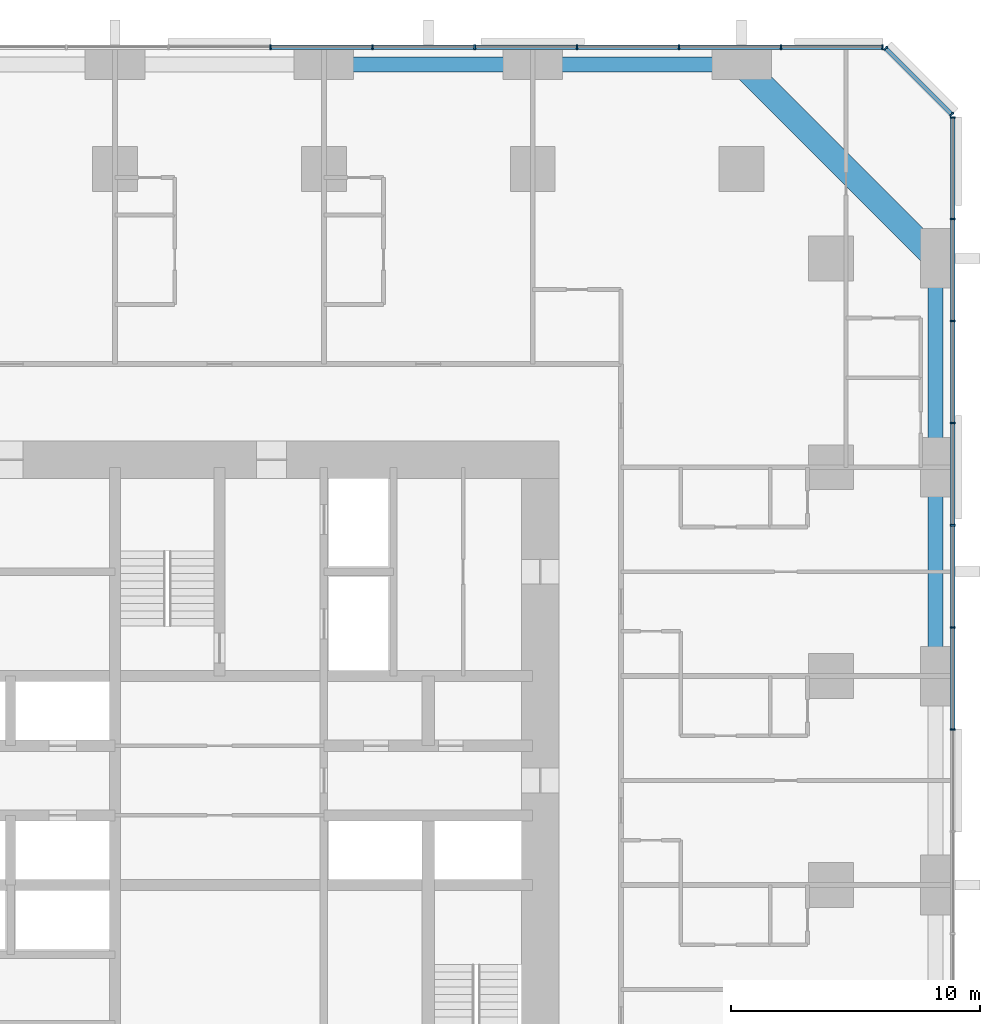
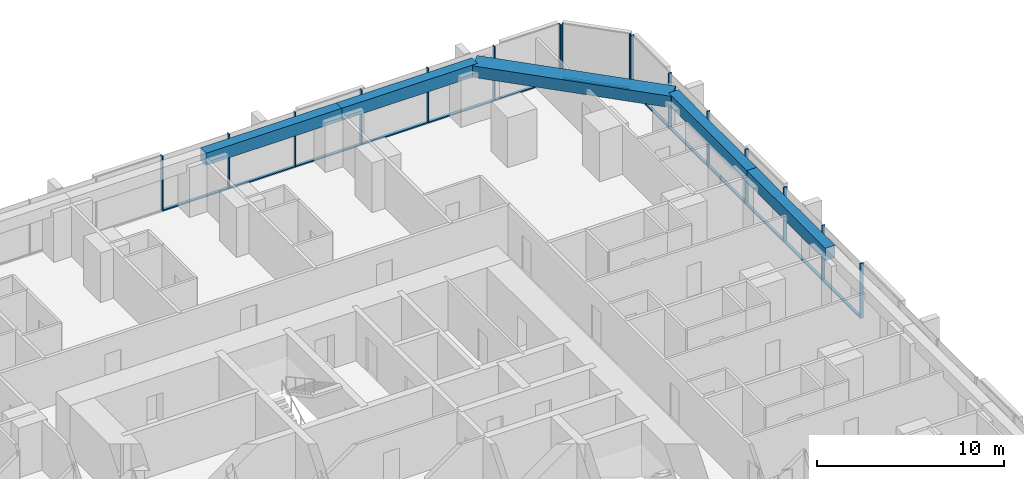
# One storey, part 8 of 17: 29 members, 5 beams, 3 elements without a shape of their own.
"""IFC4 building model written with IfcOpenShell, lengths in metres."""

import ifcopenshell
import ifcopenshell.guid

model = None  # the IFC model being written
_history = None  # IfcOwnerHistory: only IFC2X3 demands one
_inside = {}  # id of a spatial element -> (the spatial element, [elements in it])
_under = {}  # id of a project, library or spatial element -> (it, [spatial elements below it])
_declared = {}  # id of a project -> (the project, [libraries it declares])
_typed = {}  # id of a type object -> (the type object, [elements of that type])
_made_of = {}  # id of a material, layer set ... -> (it, [elements and type objects made of it])


def new_model(schema):
    """Start an empty IFC model of exactly this schema.

    Asked for "IFC4X3", IfcOpenShell would pick the latest addendum, in which some entities
    have other attributes; the version numbers below select the first issue.
    IFC2X3 requires an IfcOwnerHistory on every rooted entity: one is made here for all.
    """
    global model, _history
    if schema == "IFC4X3":
        model = ifcopenshell.file(schema_version=(4, 3, 0, 0))
    else:
        model = ifcopenshell.file(schema=schema)
    _inside.clear()
    _under.clear()
    _declared.clear()
    _typed.clear()
    _made_of.clear()
    _history = None
    if model.schema == "IFC2X3":
        org = make("IfcOrganization", Name="unknown")
        user = make(
            "IfcPersonAndOrganization",
            ThePerson=make("IfcPerson", FamilyName="unknown"),
            TheOrganization=org,
        )
        app = make(
            "IfcApplication",
            ApplicationDeveloper=org,
            Version="unknown",
            ApplicationFullName="unknown",
            ApplicationIdentifier="unknown",
        )
        _history = make(
            "IfcOwnerHistory",
            OwningUser=user,
            OwningApplication=app,
            ChangeAction="ADDED",
            CreationDate=0,
        )
    return model


def make(cls, **values):
    """One entity of the class cls with the attributes given. An attribute that is None is left unset."""
    return model.create_entity(
        cls, **{name: value for name, value in values.items() if value is not None}
    )


def rooted(cls, **values):
    """An entity with a GlobalId (a new one), such as an element, a storey or a relation."""
    return make(cls, GlobalId=ifcopenshell.guid.new(), OwnerHistory=_history, **values)


def si_unit(unit_type, name, prefix=None):
    """IfcSIUnit, for example si_unit("LENGTHUNIT", "METRE", prefix="MILLI")."""
    return make("IfcSIUnit", UnitType=unit_type, Prefix=prefix, Name=name)


def assignment(units):
    """IfcUnitAssignment: the units of a project."""
    return None if units is None else make("IfcUnitAssignment", Units=units)


def point(xyz):
    """IfcCartesianPoint."""
    return None if xyz is None else make("IfcCartesianPoint", Coordinates=xyz)


def direction(xyz):
    """IfcDirection."""
    return None if xyz is None else make("IfcDirection", DirectionRatios=xyz)


def frame(location, z_axis=None, x_axis=None):
    """IfcAxis2Placement3D, a coordinate frame: its origin and axes. An axis left out is left unset."""
    return make(
        "IfcAxis2Placement3D",
        Location=point(location),
        Axis=direction(z_axis),
        RefDirection=direction(x_axis),
    )


def frame_2d(location, x_axis=None):
    """IfcAxis2Placement2D, a coordinate frame in the plane: its origin and x axis."""
    return make(
        "IfcAxis2Placement2D", Location=point(location), RefDirection=direction(x_axis)
    )


def origin():
    """The frame at (0, 0, 0) with its axes left unset."""
    return frame((0.0, 0.0, 0.0))


def origin_2d():
    """The frame at (0, 0) in the plane with its x axis left unset."""
    return frame_2d((0.0, 0.0))


def place(relative_to, where):
    """IfcLocalPlacement: puts the frame where relative to a parent placement (None: the world)."""
    return make(
        "IfcLocalPlacement", PlacementRelTo=relative_to, RelativePlacement=where
    )


def context(
    kind, dimensions, precision=None, world=None, true_north=None, identifier=None
):
    """IfcGeometricRepresentationContext, for example the 3D "Model" context."""
    return make(
        "IfcGeometricRepresentationContext",
        ContextIdentifier=identifier,
        ContextType=kind,
        CoordinateSpaceDimension=dimensions,
        Precision=precision,
        WorldCoordinateSystem=world,
        TrueNorth=true_north,
    )


def subcontext(parent, identifier, kind, view, scale=None):
    """IfcGeometricRepresentationSubContext, for example "Body" below "Model"."""
    return make(
        "IfcGeometricRepresentationSubContext",
        ContextIdentifier=identifier,
        ContextType=kind,
        ParentContext=parent,
        TargetScale=scale,
        TargetView=view,
    )


def project(units=None, contexts=None):
    """IfcProject with its units and contexts."""
    return rooted(
        "IfcProject",
        Name="project",
        RepresentationContexts=contexts,
        UnitsInContext=assignment(units),
    )


def spatial(cls, under=None, at=None, **own):
    """A site, building, storey or space (cls), placed at a placement, below another one or the project."""
    s = rooted(cls, ObjectPlacement=at, **own)
    if under is not None:
        _under.setdefault(under.id(), (under, []))[1].append(s)
    return s


def profile(cls, at=None, kind="AREA", **sizes):
    """A parametric profile (cls). Its sizes go by their IFC names, for example OverallWidth=200.0."""
    return make(cls, ProfileType=kind, Position=at, **sizes)


def rectangle(**sizes):
    """IfcRectangleProfileDef."""
    return profile("IfcRectangleProfileDef", **sizes)


def extrude(swept, where, along, depth):
    """IfcExtrudedAreaSolid: the profile swept, set in the frame where, extruded along a direction by depth."""
    return make(
        "IfcExtrudedAreaSolid",
        SweptArea=swept,
        Position=where,
        ExtrudedDirection=direction(along),
        Depth=depth,
    )


def shape(context_of_items, identifier, shape_type, items):
    """IfcShapeRepresentation: the items that make up one representation, for example the "Body"."""
    return make(
        "IfcShapeRepresentation",
        ContextOfItems=context_of_items,
        RepresentationIdentifier=identifier,
        RepresentationType=shape_type,
        Items=items,
    )


def material(Name=None, Category=None):
    """IfcMaterial."""
    return make("IfcMaterial", Name=Name, Category=Category)


def material_profile(
    of_material, cross_section, Name=None, Category=None, Priority=None
):
    """IfcMaterialProfile: a cross section and its material."""
    return make(
        "IfcMaterialProfile",
        Name=Name,
        Material=of_material,
        Profile=cross_section,
        Priority=Priority,
        Category=Category,
    )


def profile_set(profiles, Name=None, composite=None):
    """IfcMaterialProfileSet."""
    return make(
        "IfcMaterialProfileSet",
        Name=Name,
        MaterialProfiles=profiles,
        CompositeProfile=composite,
    )


def made_of(thing, what):
    """Note that an element or type object is made of a material, layer set ...; save() writes the relation."""
    if what is not None:
        _made_of.setdefault(what.id(), (what, []))[1].append(thing)
    return thing


def type_object(cls, material=None, **own):
    """A type object (cls), such as IfcWallType, which elements share."""
    return made_of(rooted(cls, **own), material)


def element(
    cls,
    number,
    at=None,
    inside=None,
    cuts=None,
    type_object=None,
    material=None,
    context=None,
    identifier="Body",
    shape_type=None,
    held_by="IfcProductDefinitionShape",
    body=None,
    shapes=None,
    **own,
):
    """One element of the class cls, such as IfcWall. Its Tag is "e" and its number.

    at: its placement. inside: the storey or other place that contains it. cuts: it is an
    opening in that element (IfcRelVoidsElement). A single representation is given by context,
    identifier, shape_type and body (its items); several are given by shapes. held_by: the class
    of the entity that holds the representations. save() writes the other relations.
    """
    e = rooted(cls, Tag="e%d" % number, ObjectPlacement=at, **own)
    if body is not None:
        shapes = [shape(context, identifier, shape_type, body)]
    if shapes is not None:
        e.Representation = make(held_by, Representations=shapes)
    if inside is not None:
        _inside.setdefault(inside.id(), (inside, []))[1].append(e)
    if cuts is not None:
        rooted(
            "IfcRelVoidsElement", RelatingBuildingElement=cuts, RelatedOpeningElement=e
        )
    if type_object is not None:
        _typed.setdefault(type_object.id(), (type_object, []))[1].append(e)
    return made_of(e, material)


def aggregate(whole, parts):
    """IfcRelAggregates: a whole, such as a stair, and the parts it consists of."""
    return rooted("IfcRelAggregates", RelatingObject=whole, RelatedObjects=parts)


def save(model, path):
    """Write the relations noted so far, then the file.

    IfcRelAggregates (storeys below a building ...), IfcRelContainedInSpatialStructure (elements
    in a storey), IfcRelDefinesByType, IfcRelAssociatesMaterial and IfcRelDeclares: one each for
    every whole, place, type object, material and project.
    """
    for whole, parts in _under.values():
        aggregate(whole, parts)
    for where, things in _inside.values():
        rooted(
            "IfcRelContainedInSpatialStructure",
            RelatedElements=things,
            RelatingStructure=where,
        )
    for kind, things in _typed.values():
        rooted("IfcRelDefinesByType", RelatedObjects=things, RelatingType=kind)
    for what, things in _made_of.values():
        rooted("IfcRelAssociatesMaterial", RelatedObjects=things, RelatingMaterial=what)
    for by, libraries in _declared.values():
        rooted("IfcRelDeclares", RelatingContext=by, RelatedDefinitions=libraries)
    model.write(path)


model = new_model("IFC4")

# Units and contexts
model_context = context("Model", 3, precision=1e-05, world=origin(), true_north=direction((0.0, 1.0)))
body_context = subcontext(model_context, "Body", "Model", "MODEL_VIEW")
ifc_project = project(units=[si_unit("LENGTHUNIT", "METRE"), si_unit("AREAUNIT", "SQUARE_METRE"), si_unit("VOLUMEUNIT", "CUBIC_METRE"), si_unit("PLANEANGLEUNIT", "RADIAN"), si_unit("MASSUNIT", "GRAM", prefix="KILO")], contexts=[model_context])

# Site, building, storey
site_placement = place(None, origin())
site = spatial("IfcSite", under=ifc_project, at=site_placement, CompositionType="ELEMENT")
building_placement = place(site_placement, origin())
building = spatial("IfcBuilding", under=site, at=building_placement, Name="Dunama Terrace Hotel", CompositionType="ELEMENT")
storey_placement = place(building_placement, frame((0.0, 0.0, 59.39990234375)))
storey = spatial("IfcBuildingStorey", under=building, at=storey_placement, Name="L14", CompositionType="ELEMENT", Elevation=59.39990234375)

# Curtain wall, members
ifc_material_1 = material(Name="Aluminium curtain wall system", Category="aluminium")
curtain_wall_type = type_object("IfcCurtainWallType", Name="Unitised fritted glass wall CW-A", PredefinedType="NOTDEFINED", material=ifc_material_1)
curtain_wall_1_placement = place(storey_placement, origin())
curtain_wall_1 = element("IfcCurtainWall", 1, at=curtain_wall_1_placement, inside=storey, type_object=curtain_wall_type, Name="Unitised fritted glass wall CW-A L14", PredefinedType="NOTDEFINED")
ifc_material_2 = material(Name="Aluminium mullion", Category="aluminium")
ifc_material_profile_1 = material_profile(ifc_material_2, rectangle(XDim=0.06494140625, YDim=0.199951171875, at=origin_2d()), Name="CWA MULLION 65X200")
ifc_profile_set_1 = profile_set([ifc_material_profile_1], Name="Aluminium mullion")
member_type_1 = type_object("IfcMemberType", Name="CWA mullion 65x200", PredefinedType="MULLION", material=ifc_profile_set_1)
member_1_placement = place(storey_placement, frame((58.89990234375, 31.4541015625, 0.0), z_axis=(0.0, 0.0, 1.0), x_axis=(0.0, 1.0, 0.0)))
member_1 = element("IfcMember", 2, at=member_1_placement, type_object=member_type_1, Name="CWA mullion", PredefinedType="MULLION", context=body_context, shape_type="SweptSolid", body=[
    extrude(rectangle(XDim=0.06494140625, YDim=0.199951171875, at=origin_2d()), origin(), (0.0, 0.0, 1.0), 3.60009765625),
])
member_2_placement = place(storey_placement, frame((58.89990234375, 35.56201171875, 0.0), z_axis=(0.0, 0.0, 1.0), x_axis=(0.0, 1.0, 0.0)))
member_2 = element("IfcMember", 3, at=member_2_placement, type_object=member_type_1, Name="CWA mullion", PredefinedType="MULLION", context=body_context, shape_type="SweptSolid", body=[
    extrude(rectangle(XDim=0.06494140625, YDim=0.199951171875, at=origin_2d()), origin(), (0.0, 0.0, 1.0), 3.60009765625),
])
member_3_placement = place(storey_placement, frame((58.89990234375, 39.6689453125, 0.0), z_axis=(0.0, 0.0, 1.0), x_axis=(0.0, 1.0, 0.0)))
member_3 = element("IfcMember", 4, at=member_3_placement, type_object=member_type_1, Name="CWA mullion", PredefinedType="MULLION", context=body_context, shape_type="SweptSolid", body=[
    extrude(rectangle(XDim=0.06494140625, YDim=0.199951171875, at=origin_2d()), origin(), (0.0, 0.0, 1.0), 3.60009765625),
])
member_4_placement = place(storey_placement, frame((58.89990234375, 43.777099609375, 0.0), z_axis=(0.0, 0.0, 1.0), x_axis=(0.0, 1.0, 0.0)))
member_4 = element("IfcMember", 5, at=member_4_placement, type_object=member_type_1, Name="CWA mullion", PredefinedType="MULLION", context=body_context, shape_type="SweptSolid", body=[
    extrude(rectangle(XDim=0.06494140625, YDim=0.199951171875, at=origin_2d()), origin(), (0.0, 0.0, 1.0), 3.60009765625),
])
member_5_placement = place(storey_placement, frame((58.89990234375, 47.885009765625, 0.0), z_axis=(0.0, 0.0, 1.0), x_axis=(0.0, 1.0, 0.0)))
member_5 = element("IfcMember", 6, at=member_5_placement, type_object=member_type_1, Name="CWA mullion", PredefinedType="MULLION", context=body_context, shape_type="SweptSolid", body=[
    extrude(rectangle(XDim=0.06494140625, YDim=0.199951171875, at=origin_2d()), origin(), (0.0, 0.0, 1.0), 3.60009765625),
])
member_6_placement = place(storey_placement, frame((58.89990234375, 51.991943359375, 0.0), z_axis=(0.0, 0.0, 1.0), x_axis=(0.0, 1.0, 0.0)))
member_6 = element("IfcMember", 7, at=member_6_placement, type_object=member_type_1, Name="CWA mullion", PredefinedType="MULLION", context=body_context, shape_type="SweptSolid", body=[
    extrude(rectangle(XDim=0.06494140625, YDim=0.199951171875, at=origin_2d()), origin(), (0.0, 0.0, 1.0), 3.60009765625),
])
member_7_placement = place(storey_placement, frame((58.89990234375, 56.06689453125, 0.0), z_axis=(0.0, 0.0, 1.0), x_axis=(0.0, 1.0, 0.0)))
member_7 = element("IfcMember", 8, at=member_7_placement, type_object=member_type_1, Name="CWA mullion", PredefinedType="MULLION", context=body_context, shape_type="SweptSolid", body=[
    extrude(rectangle(XDim=0.06494140625, YDim=0.199951171875, at=origin_2d()), origin(), (0.0, 0.0, 1.0), 3.60009765625),
])

curtain_wall_2_placement = place(storey_placement, origin())
curtain_wall_2 = element("IfcCurtainWall", 9, at=curtain_wall_2_placement, inside=storey, type_object=curtain_wall_type, Name="Unitised fritted glass wall CW-A L14", PredefinedType="NOTDEFINED")
member_8_placement = place(storey_placement, frame((58.847900390625, 56.194091796875, 0.0), z_axis=(0.0, 0.0, 1.0), x_axis=(-0.707106781187, 0.707106781187, 0.0)))
member_8 = element("IfcMember", 10, at=member_8_placement, type_object=member_type_1, Name="CWA mullion", PredefinedType="MULLION", context=body_context, shape_type="SweptSolid", body=[
    extrude(rectangle(XDim=0.06494140625, YDim=0.199951171875, at=origin_2d()), origin(), (0.0, 0.0, 1.0), 3.60009765625),
])
member_9_placement = place(storey_placement, frame((56.194091796875, 58.847900390625, 0.0), z_axis=(0.0, 0.0, 1.0), x_axis=(-0.707106781187, 0.707106781187, 0.0)))
member_9 = element("IfcMember", 11, at=member_9_placement, type_object=member_type_1, Name="CWA mullion", PredefinedType="MULLION", context=body_context, shape_type="SweptSolid", body=[
    extrude(rectangle(XDim=0.06494140625, YDim=0.199951171875, at=origin_2d()), origin(), (0.0, 0.0, 1.0), 3.60009765625),
])

curtain_wall_3_placement = place(storey_placement, origin())
curtain_wall_3 = element("IfcCurtainWall", 12, at=curtain_wall_3_placement, inside=storey, type_object=curtain_wall_type, Name="Unitised fritted glass wall CW-A L14", PredefinedType="NOTDEFINED")
member_10_placement = place(storey_placement, frame((56.06689453125, 58.89990234375, 0.0), z_axis=(0.0, 0.0, 1.0), x_axis=(-1.0, 0.0, 0.0)))
member_10 = element("IfcMember", 13, at=member_10_placement, type_object=member_type_1, Name="CWA mullion", PredefinedType="MULLION", context=body_context, shape_type="SweptSolid", body=[
    extrude(rectangle(XDim=0.06494140625, YDim=0.199951171875, at=origin_2d()), origin(), (0.0, 0.0, 1.0), 3.60009765625),
])
member_11_placement = place(storey_placement, frame((51.991943359375, 58.89990234375, 0.0), z_axis=(0.0, 0.0, 1.0), x_axis=(-1.0, 0.0, 0.0)))
member_11 = element("IfcMember", 14, at=member_11_placement, type_object=member_type_1, Name="CWA mullion", PredefinedType="MULLION", context=body_context, shape_type="SweptSolid", body=[
    extrude(rectangle(XDim=0.06494140625, YDim=0.199951171875, at=origin_2d()), origin(), (0.0, 0.0, 1.0), 3.60009765625),
])
member_12_placement = place(storey_placement, frame((47.885009765625, 58.89990234375, 0.0), z_axis=(0.0, 0.0, 1.0), x_axis=(-1.0, 0.0, 0.0)))
member_12 = element("IfcMember", 15, at=member_12_placement, type_object=member_type_1, Name="CWA mullion", PredefinedType="MULLION", context=body_context, shape_type="SweptSolid", body=[
    extrude(rectangle(XDim=0.06494140625, YDim=0.199951171875, at=origin_2d()), origin(), (0.0, 0.0, 1.0), 3.60009765625),
])
member_13_placement = place(storey_placement, frame((43.777099609375, 58.89990234375, 0.0), z_axis=(0.0, 0.0, 1.0), x_axis=(-1.0, 0.0, 0.0)))
member_13 = element("IfcMember", 16, at=member_13_placement, type_object=member_type_1, Name="CWA mullion", PredefinedType="MULLION", context=body_context, shape_type="SweptSolid", body=[
    extrude(rectangle(XDim=0.06494140625, YDim=0.199951171875, at=origin_2d()), origin(), (0.0, 0.0, 1.0), 3.60009765625),
])
member_14_placement = place(storey_placement, frame((39.6689453125, 58.89990234375, 0.0), z_axis=(0.0, 0.0, 1.0), x_axis=(-1.0, 0.0, 0.0)))
member_14 = element("IfcMember", 17, at=member_14_placement, type_object=member_type_1, Name="CWA mullion", PredefinedType="MULLION", context=body_context, shape_type="SweptSolid", body=[
    extrude(rectangle(XDim=0.06494140625, YDim=0.199951171875, at=origin_2d()), origin(), (0.0, 0.0, 1.0), 3.60009765625),
])
member_15_placement = place(storey_placement, frame((35.56201171875, 58.89990234375, 0.0), z_axis=(0.0, 0.0, 1.0), x_axis=(-1.0, 0.0, 0.0)))
member_15 = element("IfcMember", 18, at=member_15_placement, type_object=member_type_1, Name="CWA mullion", PredefinedType="MULLION", context=body_context, shape_type="SweptSolid", body=[
    extrude(rectangle(XDim=0.06494140625, YDim=0.199951171875, at=origin_2d()), origin(), (0.0, 0.0, 1.0), 3.60009765625),
])
member_16_placement = place(storey_placement, frame((31.4541015625, 58.89990234375, 0.0), z_axis=(0.0, 0.0, 1.0), x_axis=(-1.0, 0.0, 0.0)))
member_16 = element("IfcMember", 19, at=member_16_placement, type_object=member_type_1, Name="CWA mullion", PredefinedType="MULLION", context=body_context, shape_type="SweptSolid", body=[
    extrude(rectangle(XDim=0.06494140625, YDim=0.199951171875, at=origin_2d()), origin(), (0.0, 0.0, 1.0), 3.60009765625),
])

# Member
ifc_material_3 = material(Name="Aluminium transom", Category="aluminium")
ifc_material_profile_2 = material_profile(ifc_material_3, rectangle(XDim=0.179931640625, YDim=0.074951171875, at=origin_2d()), Name="CWA TRANSOM 180X75")
ifc_profile_set_2 = profile_set([ifc_material_profile_2], Name="Aluminium transom")
member_type_2 = type_object("IfcMemberType", Name="CWA transom 180x75", PredefinedType="USERDEFINED", material=ifc_profile_set_2)
member_17_placement = place(storey_placement, frame((58.89990234375, 31.486083984375, 0.03759765625), z_axis=(0.0, 1.0, 0.0), x_axis=(-1.0, 0.0, 0.0)))
member_17 = element("IfcMember", 20, at=member_17_placement, type_object=member_type_2, Name="CWA transom", ObjectType="TRANSOM", PredefinedType="USERDEFINED", context=body_context, shape_type="SweptSolid", body=[
    extrude(rectangle(XDim=0.179931640625, YDim=0.074951171875, at=origin_2d()), origin(), (0.0, 0.0, 1.0), 4.04296875),
])

member_18_placement = place(storey_placement, frame((58.89990234375, 35.593994140625, 0.03759765625), z_axis=(0.0, 1.0, 0.0), x_axis=(-1.0, 0.0, 0.0)))
member_18 = element("IfcMember", 21, at=member_18_placement, type_object=member_type_2, Name="CWA transom", ObjectType="TRANSOM", PredefinedType="USERDEFINED", context=body_context, shape_type="SweptSolid", body=[
    extrude(rectangle(XDim=0.179931640625, YDim=0.074951171875, at=origin_2d()), origin(), (0.0, 0.0, 1.0), 4.04296875),
])

member_19_placement = place(storey_placement, frame((58.89990234375, 39.701904296875, 0.03759765625), z_axis=(0.0, 1.0, 0.0), x_axis=(-1.0, 0.0, 0.0)))
member_19 = element("IfcMember", 22, at=member_19_placement, type_object=member_type_2, Name="CWA transom", ObjectType="TRANSOM", PredefinedType="USERDEFINED", context=body_context, shape_type="SweptSolid", body=[
    extrude(rectangle(XDim=0.179931640625, YDim=0.074951171875, at=origin_2d()), origin(), (0.0, 0.0, 1.0), 4.0419921875),
])

member_20_placement = place(storey_placement, frame((58.89990234375, 43.80908203125, 0.03759765625), z_axis=(0.0, 1.0, 0.0), x_axis=(-1.0, 0.0, 0.0)))
member_20 = element("IfcMember", 23, at=member_20_placement, type_object=member_type_2, Name="CWA transom", ObjectType="TRANSOM", PredefinedType="USERDEFINED", context=body_context, shape_type="SweptSolid", body=[
    extrude(rectangle(XDim=0.179931640625, YDim=0.074951171875, at=origin_2d()), origin(), (0.0, 0.0, 1.0), 4.04296875),
])

member_21_placement = place(storey_placement, frame((58.89990234375, 47.9169921875, 0.03759765625), z_axis=(0.0, 1.0, 0.0), x_axis=(-1.0, 0.0, 0.0)))
member_21 = element("IfcMember", 24, at=member_21_placement, type_object=member_type_2, Name="CWA transom", ObjectType="TRANSOM", PredefinedType="USERDEFINED", context=body_context, shape_type="SweptSolid", body=[
    extrude(rectangle(XDim=0.179931640625, YDim=0.074951171875, at=origin_2d()), origin(), (0.0, 0.0, 1.0), 4.04296875),
])

member_22_placement = place(storey_placement, frame((58.89990234375, 52.02490234375, 0.03759765625), z_axis=(0.0, 1.0, 0.0), x_axis=(-1.0, 0.0, 0.0)))
member_22 = element("IfcMember", 25, at=member_22_placement, type_object=member_type_2, Name="CWA transom", ObjectType="TRANSOM", PredefinedType="USERDEFINED", context=body_context, shape_type="SweptSolid", body=[
    extrude(rectangle(XDim=0.179931640625, YDim=0.074951171875, at=origin_2d()), origin(), (0.0, 0.0, 1.0), 4.010009765625),
])

aggregate(curtain_wall_1, [member_1, member_2, member_3, member_4, member_5, member_6, member_7, member_17, member_18, member_19, member_20, member_21, member_22])

member_23_placement = place(storey_placement, frame((58.824951171875, 56.217041015625, 0.03759765625), z_axis=(-0.707106781187, 0.707106781187, 0.0), x_axis=(-0.707106781187, -0.707106781187, 0.0)))
member_23 = element("IfcMember", 26, at=member_23_placement, type_object=member_type_2, Name="CWA transom", ObjectType="TRANSOM", PredefinedType="USERDEFINED", context=body_context, shape_type="SweptSolid", body=[
    extrude(rectangle(XDim=0.179931640625, YDim=0.074951171875, at=origin_2d()), origin(), (0.0, 0.0, 1.0), 3.688232421875),
])

aggregate(curtain_wall_2, [member_8, member_9, member_23])

member_24_placement = place(storey_placement, frame((56.034912109375, 58.89990234375, 0.03759765625), z_axis=(-1.0, 0.0, 0.0), x_axis=(0.0, -1.0, 0.0)))
member_24 = element("IfcMember", 27, at=member_24_placement, type_object=member_type_2, Name="CWA transom", ObjectType="TRANSOM", PredefinedType="USERDEFINED", context=body_context, shape_type="SweptSolid", body=[
    extrude(rectangle(XDim=0.179931640625, YDim=0.074951171875, at=origin_2d()), origin(), (0.0, 0.0, 1.0), 4.010009765625),
])

member_25_placement = place(storey_placement, frame((51.9599609375, 58.89990234375, 0.03759765625), z_axis=(-1.0, 0.0, 0.0), x_axis=(0.0, -1.0, 0.0)))
member_25 = element("IfcMember", 28, at=member_25_placement, type_object=member_type_2, Name="CWA transom", ObjectType="TRANSOM", PredefinedType="USERDEFINED", context=body_context, shape_type="SweptSolid", body=[
    extrude(rectangle(XDim=0.179931640625, YDim=0.074951171875, at=origin_2d()), origin(), (0.0, 0.0, 1.0), 4.04296875),
])

member_26_placement = place(storey_placement, frame((47.85205078125, 58.89990234375, 0.03759765625), z_axis=(-1.0, 0.0, 0.0), x_axis=(0.0, -1.0, 0.0)))
member_26 = element("IfcMember", 29, at=member_26_placement, type_object=member_type_2, Name="CWA transom", ObjectType="TRANSOM", PredefinedType="USERDEFINED", context=body_context, shape_type="SweptSolid", body=[
    extrude(rectangle(XDim=0.179931640625, YDim=0.074951171875, at=origin_2d()), origin(), (0.0, 0.0, 1.0), 4.04296875),
])

member_27_placement = place(storey_placement, frame((43.743896484375, 58.89990234375, 0.03759765625), z_axis=(-1.0, 0.0, 0.0), x_axis=(0.0, -1.0, 0.0)))
member_27 = element("IfcMember", 30, at=member_27_placement, type_object=member_type_2, Name="CWA transom", ObjectType="TRANSOM", PredefinedType="USERDEFINED", context=body_context, shape_type="SweptSolid", body=[
    extrude(rectangle(XDim=0.179931640625, YDim=0.074951171875, at=origin_2d()), origin(), (0.0, 0.0, 1.0), 4.0419921875),
])

member_28_placement = place(storey_placement, frame((39.636962890625, 58.89990234375, 0.03759765625), z_axis=(-1.0, 0.0, 0.0), x_axis=(0.0, -1.0, 0.0)))
member_28 = element("IfcMember", 31, at=member_28_placement, type_object=member_type_2, Name="CWA transom", ObjectType="TRANSOM", PredefinedType="USERDEFINED", context=body_context, shape_type="SweptSolid", body=[
    extrude(rectangle(XDim=0.179931640625, YDim=0.074951171875, at=origin_2d()), origin(), (0.0, 0.0, 1.0), 4.04296875),
])

member_29_placement = place(storey_placement, frame((35.529052734375, 58.89990234375, 0.03759765625), z_axis=(-1.0, 0.0, 0.0), x_axis=(0.0, -1.0, 0.0)))
member_29 = element("IfcMember", 32, at=member_29_placement, type_object=member_type_2, Name="CWA transom", ObjectType="TRANSOM", PredefinedType="USERDEFINED", context=body_context, shape_type="SweptSolid", body=[
    extrude(rectangle(XDim=0.179931640625, YDim=0.074951171875, at=origin_2d()), origin(), (0.0, 0.0, 1.0), 4.04296875),
])

aggregate(curtain_wall_3, [member_10, member_11, member_12, member_13, member_14, member_15, member_16, member_24, member_25, member_26, member_27, member_28, member_29])

# Beams
ifc_material_4 = material(Name="Concrete C50/60", Category="concrete")
ifc_material_profile_3 = material_profile(ifc_material_4, rectangle(XDim=1.0, YDim=0.75, at=origin_2d()), Name="RC 1000x750")
ifc_profile_set_3 = profile_set([ifc_material_profile_3], Name="Concrete C50/60")
beam_type_1 = type_object("IfcBeamType", Name="Edge beam RC 1000x750", PredefinedType="SPANDREL", material=ifc_profile_set_3)
beam_placement = place(storey_placement, frame((50.39990234375, 58.199951171875, 3.22509765625), z_axis=(0.707106781187, -0.707106781187, 0.0), x_axis=(0.707106781187, 0.707106781187, 0.0)))
element("IfcBeam", 33, at=beam_placement, inside=storey, type_object=beam_type_1, Name="Corner edge beam under L15", PredefinedType="SPANDREL", context=body_context, shape_type="SweptSolid", body=[
    extrude(rectangle(XDim=1.0, YDim=0.75, at=origin_2d()), origin(), (0.0, 0.0, 1.0), 11.031005859375),
])
ifc_material_5 = material(Name="Concrete C40/50", Category="concrete")
ifc_material_profile_4 = material_profile(ifc_material_5, rectangle(XDim=0.60009765625, YDim=0.800048828125, at=origin_2d()), Name="RC 600x800")
ifc_profile_set_4 = profile_set([ifc_material_profile_4], Name="Concrete C40/50")
beam_type_2 = type_object("IfcBeamType", Name="Edge beam RC 600x800", PredefinedType="SPANDREL", material=ifc_profile_set_4)
for number, where, z_axis, x_axis, name in (
    (34, (58.199951171875, 33.60009765625, 3.2001953125), (0.0, 1.0, 0.0), (-1.0, 0.0, 0.0), "Edge beam under L15"),
    (35, (58.199951171875, 42.0, 3.2001953125), (0.0, 1.0, 0.0), (-1.0, 0.0, 0.0), "Edge beam under L15"),
    (36, (33.60009765625, 58.199951171875, 3.2001953125), (1.0, 0.0, 0.0), (0.0, 1.0, 0.0), "Edge beam under L15"),
    (37, (42.0, 58.199951171875, 3.2001953125), (1.0, 0.0, 0.0), (0.0, 1.0, 0.0), "Edge beam under L15"),
):
    element("IfcBeam", number, at=place(storey_placement, frame(where, z_axis=z_axis, x_axis=x_axis)), inside=storey, type_object=beam_type_2, Name=name, PredefinedType="SPANDREL", context=body_context, shape_type="SweptSolid", body=[
        extrude(rectangle(XDim=0.60009765625, YDim=0.800048828125, at=origin_2d()), origin(), (0.0, 0.0, 1.0), 8.39990234375),
    ])

save(model, "model.ifc")
